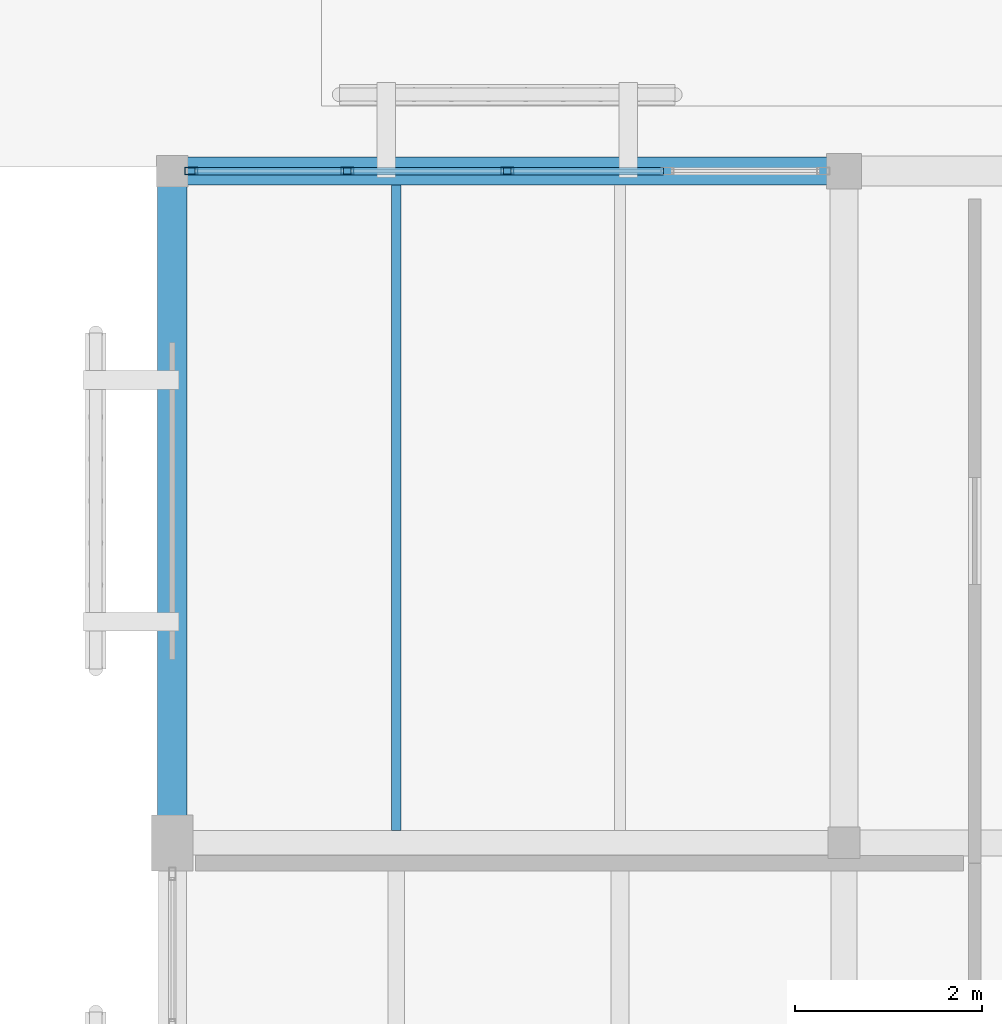
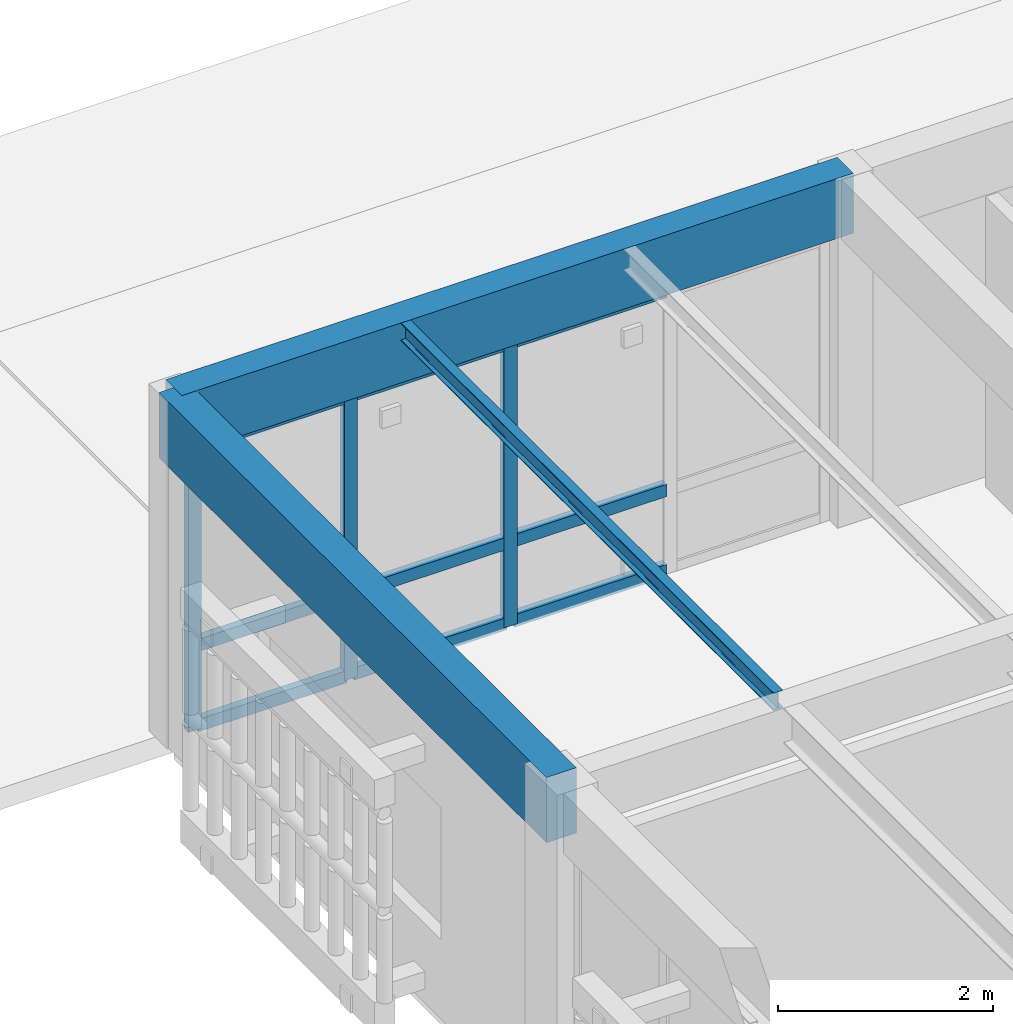
# One storey, part 52 of 112: 12 members, 3 beams, 1 element without a shape of its own.
"""IFC4 building model written with IfcOpenShell, lengths in metres."""

from ifc_helpers import new_model, si_unit, direction, frame, origin, origin_2d, place, context, subcontext, project, spatial, rectangle, hollow_rectangle, i_section, extrude, material, layer, layer_set, material_profile, profile_set, type_object, element, aggregate, save


model = new_model("IFC4")

# Units and contexts
model_context = context("Model", 3, precision=1e-05, world=origin(), true_north=direction((0.0, 1.0)))
body_context = subcontext(model_context, "Body", "Model", "MODEL_VIEW")
ifc_project = project(units=[si_unit("LENGTHUNIT", "METRE"), si_unit("AREAUNIT", "SQUARE_METRE"), si_unit("VOLUMEUNIT", "CUBIC_METRE"), si_unit("PLANEANGLEUNIT", "RADIAN"), si_unit("MASSUNIT", "GRAM", prefix="KILO")], contexts=[model_context])

# Site, building, storey
site_placement = place(None, origin())
site = spatial("IfcSite", under=ifc_project, at=site_placement, CompositionType="ELEMENT")
building_placement = place(site_placement, origin())
building = spatial("IfcBuilding", under=site, at=building_placement, Name="Mazaris Harbour Polytechnic", CompositionType="ELEMENT")
storey_placement = place(building_placement, frame((0.0, 0.0, 13.800048828125)))
storey = spatial("IfcBuildingStorey", under=building, at=storey_placement, Name="L03", CompositionType="ELEMENT", Elevation=13.800048828125)

# Curtain wall, members
ifc_material_1 = material(Name="Anodised Bronze Aluminium and Low-E Glass", Category="aluminium")
ifc_layer = layer(ifc_material_1, 0.169921875, Name="Anodised Bronze Aluminium and Low-E Glass")
ifc_layer_set = layer_set([ifc_layer], Name="Anodised Bronze Aluminium and Low-E Glass")
curtain_wall_type = type_object("IfcCurtainWallType", Name="Studio North-Light Curtain Wall", PredefinedType="NOTDEFINED", material=ifc_layer_set)
curtain_wall_placement = place(storey_placement, origin())
curtain_wall = element("IfcCurtainWall", 1, at=curtain_wall_placement, inside=storey, type_object=curtain_wall_type, Name="V5 L03 Curtain Wall 249", PredefinedType="NOTDEFINED")
ifc_material_2 = material(Name="Anodised Bronze Steel S355", Category="steel")
ifc_material_profile_1 = material_profile(ifc_material_2, hollow_rectangle(XDim=0.080078125, YDim=0.139892578125, WallThickness=0.00634765625, at=origin_2d()), Name="RHS 80x140x6.3")
ifc_profile_set_1 = profile_set([ifc_material_profile_1], Name="Anodised Bronze Steel S355")
member_type_1 = type_object("IfcMemberType", Name="Curtain Mullion RHS80x140", PredefinedType="MULLION", material=ifc_profile_set_1)
member_1_placement = place(storey_placement, frame((122.60205078125, 100.800048828125, 0.0), z_axis=(0.0, 0.0, 1.0), x_axis=(0.0, 1.0, 0.0)))
member_1 = element("IfcMember", 2, at=member_1_placement, type_object=member_type_1, Name="CW-03 mullion 1", PredefinedType="MULLION", context=body_context, shape_type="SweptSolid", body=[
    extrude(hollow_rectangle(XDim=0.080078125, YDim=0.139892578125, WallThickness=0.00634765625, at=origin_2d()), origin(), (0.0, 0.0, 1.0), 3.244873046875),
])
member_2_placement = place(storey_placement, frame((124.27587890625, 100.800048828125, 0.0), z_axis=(0.0, 0.0, 1.0), x_axis=(0.0, 1.0, 0.0)))
member_2 = element("IfcMember", 3, at=member_2_placement, type_object=member_type_1, Name="CW-03 mullion 2", PredefinedType="MULLION", context=body_context, shape_type="SweptSolid", body=[
    extrude(hollow_rectangle(XDim=0.080078125, YDim=0.139892578125, WallThickness=0.00634765625, at=origin_2d()), origin(), (0.0, 0.0, 1.0), 3.244873046875),
])
member_3_placement = place(storey_placement, frame((125.989990234375, 100.800048828125, 0.0), z_axis=(0.0, 0.0, 1.0), x_axis=(0.0, 1.0, 0.0)))
member_3 = element("IfcMember", 4, at=member_3_placement, type_object=member_type_1, Name="CW-03 mullion 3", PredefinedType="MULLION", context=body_context, shape_type="SweptSolid", body=[
    extrude(hollow_rectangle(XDim=0.080078125, YDim=0.139892578125, WallThickness=0.00634765625, at=origin_2d()), origin(), (0.0, 0.0, 1.0), 3.244873046875),
])
ifc_material_3 = material(Name="Anodised Bronze Steel S355", Category="steel")
ifc_material_profile_2 = material_profile(ifc_material_3, hollow_rectangle(XDim=0.080078125, YDim=0.139892578125, WallThickness=0.00634765625, at=origin_2d()), Name="RHS 80x140x6.3")
ifc_profile_set_2 = profile_set([ifc_material_profile_2], Name="Anodised Bronze Steel S355")
member_type_2 = type_object("IfcMemberType", Name="Curtain Transom RHS80x140", PredefinedType="USERDEFINED", material=ifc_profile_set_2)
member_4_placement = place(storey_placement, frame((122.64208984375, 100.800048828125, 0.0400390625), z_axis=(1.0, 0.0, 0.0), x_axis=(0.0, 1.0, 0.0)))
member_4 = element("IfcMember", 5, at=member_4_placement, type_object=member_type_2, Name="CW-03 transom 1.1", ObjectType="TRANSOM", PredefinedType="USERDEFINED", context=body_context, shape_type="SweptSolid", body=[
    extrude(hollow_rectangle(XDim=0.080078125, YDim=0.139892578125, WallThickness=0.00634765625, at=origin_2d()), origin(), (0.0, 0.0, 1.0), 1.593994140625),
])
member_5_placement = place(storey_placement, frame((122.64208984375, 100.800048828125, 0.949951171875), z_axis=(1.0, 0.0, 0.0), x_axis=(0.0, 1.0, 0.0)))
member_5 = element("IfcMember", 6, at=member_5_placement, type_object=member_type_2, Name="CW-03 transom 1.2", ObjectType="TRANSOM", PredefinedType="USERDEFINED", context=body_context, shape_type="SweptSolid", body=[
    extrude(hollow_rectangle(XDim=0.080078125, YDim=0.139892578125, WallThickness=0.00634765625, at=origin_2d()), origin(), (0.0, 0.0, 1.0), 1.593994140625),
])
member_6_placement = place(storey_placement, frame((122.64208984375, 100.800048828125, 3.204833984375), z_axis=(1.0, 0.0, 0.0), x_axis=(0.0, 1.0, 0.0)))
member_6 = element("IfcMember", 7, at=member_6_placement, type_object=member_type_2, Name="CW-03 transom 1.3", ObjectType="TRANSOM", PredefinedType="USERDEFINED", context=body_context, shape_type="SweptSolid", body=[
    extrude(hollow_rectangle(XDim=0.080078125, YDim=0.139892578125, WallThickness=0.00634765625, at=origin_2d()), origin(), (0.0, 0.0, 1.0), 1.593994140625),
])
member_7_placement = place(storey_placement, frame((124.31591796875, 100.800048828125, 0.0400390625), z_axis=(1.0, 0.0, 0.0), x_axis=(0.0, 1.0, 0.0)))
member_7 = element("IfcMember", 8, at=member_7_placement, type_object=member_type_2, Name="CW-03 transom 2.1", ObjectType="TRANSOM", PredefinedType="USERDEFINED", context=body_context, shape_type="SweptSolid", body=[
    extrude(hollow_rectangle(XDim=0.080078125, YDim=0.139892578125, WallThickness=0.00634765625, at=origin_2d()), origin(), (0.0, 0.0, 1.0), 1.634033203125),
])
member_8_placement = place(storey_placement, frame((124.31591796875, 100.800048828125, 0.949951171875), z_axis=(1.0, 0.0, 0.0), x_axis=(0.0, 1.0, 0.0)))
member_8 = element("IfcMember", 9, at=member_8_placement, type_object=member_type_2, Name="CW-03 transom 2.2", ObjectType="TRANSOM", PredefinedType="USERDEFINED", context=body_context, shape_type="SweptSolid", body=[
    extrude(hollow_rectangle(XDim=0.080078125, YDim=0.139892578125, WallThickness=0.00634765625, at=origin_2d()), origin(), (0.0, 0.0, 1.0), 1.634033203125),
])
member_9_placement = place(storey_placement, frame((124.31591796875, 100.800048828125, 3.204833984375), z_axis=(1.0, 0.0, 0.0), x_axis=(0.0, 1.0, 0.0)))
member_9 = element("IfcMember", 10, at=member_9_placement, type_object=member_type_2, Name="CW-03 transom 2.3", ObjectType="TRANSOM", PredefinedType="USERDEFINED", context=body_context, shape_type="SweptSolid", body=[
    extrude(hollow_rectangle(XDim=0.080078125, YDim=0.139892578125, WallThickness=0.00634765625, at=origin_2d()), origin(), (0.0, 0.0, 1.0), 1.634033203125),
])
member_10_placement = place(storey_placement, frame((126.030029296875, 100.800048828125, 0.0400390625), z_axis=(1.0, 0.0, 0.0), x_axis=(0.0, 1.0, 0.0)))
member_10 = element("IfcMember", 11, at=member_10_placement, type_object=member_type_2, Name="CW-03 transom 3.1", ObjectType="TRANSOM", PredefinedType="USERDEFINED", context=body_context, shape_type="SweptSolid", body=[
    extrude(hollow_rectangle(XDim=0.080078125, YDim=0.139892578125, WallThickness=0.00634765625, at=origin_2d()), origin(), (0.0, 0.0, 1.0), 1.634033203125),
])
member_11_placement = place(storey_placement, frame((126.030029296875, 100.800048828125, 0.949951171875), z_axis=(1.0, 0.0, 0.0), x_axis=(0.0, 1.0, 0.0)))
member_11 = element("IfcMember", 12, at=member_11_placement, type_object=member_type_2, Name="CW-03 transom 3.2", ObjectType="TRANSOM", PredefinedType="USERDEFINED", context=body_context, shape_type="SweptSolid", body=[
    extrude(hollow_rectangle(XDim=0.080078125, YDim=0.139892578125, WallThickness=0.00634765625, at=origin_2d()), origin(), (0.0, 0.0, 1.0), 1.634033203125),
])
member_12_placement = place(storey_placement, frame((126.030029296875, 100.800048828125, 3.204833984375), z_axis=(1.0, 0.0, 0.0), x_axis=(0.0, 1.0, 0.0)))
member_12 = element("IfcMember", 13, at=member_12_placement, type_object=member_type_2, Name="CW-03 transom 3.3", ObjectType="TRANSOM", PredefinedType="USERDEFINED", context=body_context, shape_type="SweptSolid", body=[
    extrude(hollow_rectangle(XDim=0.080078125, YDim=0.139892578125, WallThickness=0.00634765625, at=origin_2d()), origin(), (0.0, 0.0, 1.0), 1.634033203125),
])
aggregate(curtain_wall, [member_1, member_2, member_3, member_4, member_5, member_6, member_7, member_8, member_9, member_10, member_11, member_12])

# Beams
ifc_material_4 = material(Name="Glulam GL32h", Category="wood")
ifc_material_profile_3 = material_profile(ifc_material_4, rectangle(XDim=0.300048828125, YDim=0.679931640625, at=origin_2d()), Name="RECT300x680")
ifc_profile_set_3 = profile_set([ifc_material_profile_3], Name="Glulam GL32h")
beam_type_1 = type_object("IfcBeamType", Name="Glulam Girder 300x680 Exterior", PredefinedType="BEAM", material=ifc_profile_set_3)
beam_1_placement = place(storey_placement, frame((122.39990234375, 100.800048828125, 3.594970703125), z_axis=(1.0, 0.0, 0.0), x_axis=(0.0, 1.0, 0.0)))
element("IfcBeam", 14, at=beam_1_placement, inside=storey, type_object=beam_type_1, Name="V5 L03 Girder 3323", PredefinedType="BEAM", context=body_context, shape_type="SweptSolid", body=[
    extrude(rectangle(XDim=0.300048828125, YDim=0.679931640625, at=origin_2d()), origin(), (0.0, 0.0, 1.0), 7.2001953125),
])
ifc_material_5 = material(Name="Glulam GL32h", Category="wood")
ifc_material_profile_4 = material_profile(ifc_material_5, rectangle(XDim=0.320068359375, YDim=0.739990234375, at=origin_2d()), Name="RECT320x740")
ifc_profile_set_4 = profile_set([ifc_material_profile_4], Name="Glulam GL32h")
beam_type_2 = type_object("IfcBeamType", Name="Glulam Girder 320x740 Exterior", PredefinedType="BEAM", material=ifc_profile_set_4)
beam_2_placement = place(storey_placement, frame((122.39990234375, 93.60009765625, 3.56494140625), z_axis=(0.0, 1.0, 0.0), x_axis=(-1.0, 0.0, 0.0)))
element("IfcBeam", 15, at=beam_2_placement, inside=storey, type_object=beam_type_2, Name="V5 L03 Tie Girder 3334", PredefinedType="BEAM", context=body_context, shape_type="SweptSolid", body=[
    extrude(rectangle(XDim=0.320068359375, YDim=0.739990234375, at=origin_2d()), origin(), (0.0, 0.0, 1.0), 7.199951171875),
])
ifc_material_6 = material(Name="Steel S355", Category="steel")
ifc_material_profile_5 = material_profile(ifc_material_6, i_section(OverallWidth=0.10009765625, OverallDepth=0.199951171875, WebThickness=0.005615234375, FlangeThickness=0.008544921875, FilletRadius=0.011962890625, at=origin_2d()), Name="IPE 200")
ifc_profile_set_5 = profile_set([ifc_material_profile_5], Name="Steel S355")
beam_type_3 = type_object("IfcBeamType", Name="Steel Joist IPE200", PredefinedType="JOIST", material=ifc_profile_set_5)
beam_3_placement = place(storey_placement, frame((124.800048828125, 93.72998046875, 3.8349609375), z_axis=(0.0, 1.0, 0.0), x_axis=(-1.0, 0.0, 0.0)))
element("IfcBeam", 16, at=beam_3_placement, inside=storey, type_object=beam_type_3, Name="V5 L03 Floor Joist 3367", PredefinedType="JOIST", context=body_context, shape_type="SweptSolid", body=[
    extrude(i_section(OverallWidth=0.10009765625, OverallDepth=0.199951171875, WebThickness=0.005615234375, FlangeThickness=0.008544921875, FilletRadius=0.011962890625, at=origin_2d()), origin(), (0.0, 0.0, 1.0), 6.919921875),
])

save(model, "model.ifc")
